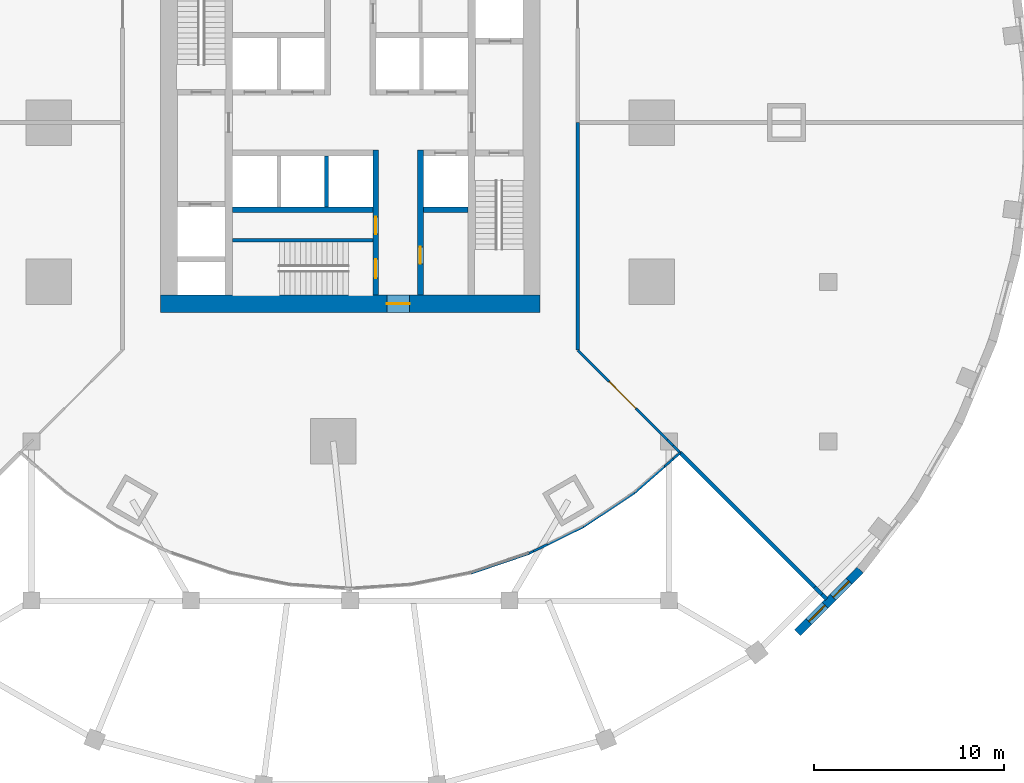
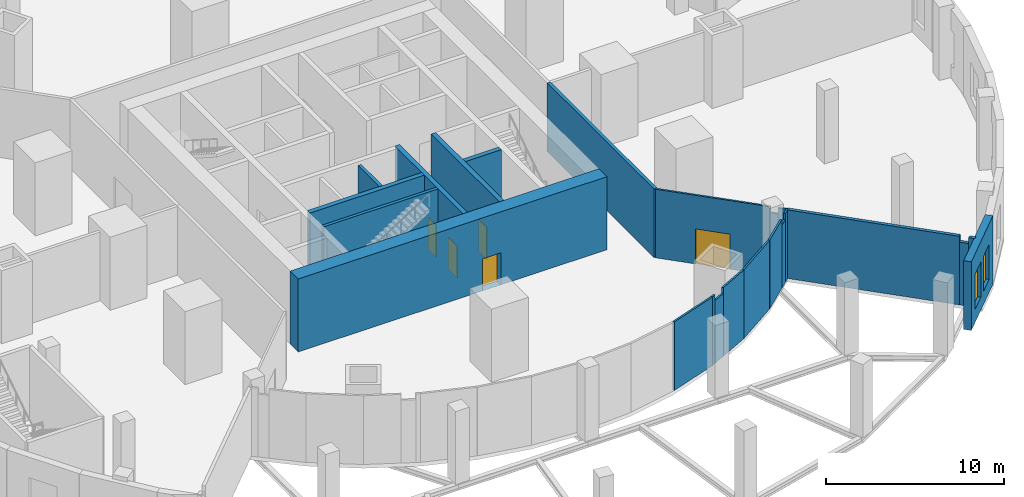
# One storey, part 4 of 11: 23 walls, 5 doors, 2 windows, 7 openings.
"""IFC4 building model written with IfcOpenShell, lengths in metres."""

from ifc_helpers import new_model, si_unit, direction, frame, frame_2d, origin, place, context, subcontext, project, spatial, rectangle, extrude, material, layer, layer_set, type_object, element, fill, save


model = new_model("IFC4")

# Units and contexts
model_context = context("Model", 3, precision=1e-05, world=origin(), true_north=direction((0.0, 1.0)))
body_context = subcontext(model_context, "Body", "Model", "MODEL_VIEW")
ifc_project = project(units=[si_unit("LENGTHUNIT", "METRE"), si_unit("AREAUNIT", "SQUARE_METRE"), si_unit("VOLUMEUNIT", "CUBIC_METRE"), si_unit("PLANEANGLEUNIT", "RADIAN"), si_unit("MASSUNIT", "GRAM", prefix="KILO")], contexts=[model_context])

# Site, building, storey
site_placement = place(None, origin())
site = spatial("IfcSite", under=ifc_project, at=site_placement, CompositionType="ELEMENT")
building_placement = place(site_placement, origin())
building = spatial("IfcBuilding", under=site, at=building_placement, Name="Golbaran Civic Tower", CompositionType="ELEMENT")
storey_placement = place(building_placement, frame((0.0, 0.0, 11.0)))
storey = spatial("IfcBuildingStorey", under=building, at=storey_placement, Name="L02", CompositionType="ELEMENT", Elevation=11.0)

# Wall, opening, door
ifc_material_1 = material(Name="Concrete C50/60", Category="concrete")
ifc_layer_1 = layer(ifc_material_1, 0.89990234375, Name="Concrete C50/60")
ifc_layer_set_1 = layer_set([ifc_layer_1], Name="Concrete C50/60")
wall_type_1 = type_object("IfcWallType", Name="CORE WALL CONCRETE 900", PredefinedType="SOLIDWALL", material=ifc_layer_set_1)
wall_1_placement = place(storey_placement, frame((10.0, -9.550048828125, 0.0), z_axis=(0.0, 0.0, 1.0), x_axis=(-1.0, 0.0, 0.0)))
wall_1 = element("IfcWall", 1, at=wall_1_placement, inside=storey, type_object=wall_type_1, Name="Core wall CS L02", PredefinedType="SOLIDWALL", context=body_context, shape_type="SweptSolid", body=[
    extrude(rectangle(XDim=20.0, YDim=0.89990234375, at=frame_2d((10.0, 0.0))), origin(), (0.0, 0.0, 1.0), 5.0),
])
opening_1_placement = place(wall_1_placement, frame((6.875, 0.0, 0.0)))
opening_1 = element("IfcOpeningElement", 2, at=opening_1_placement, cuts=wall_1, Name="Opening L02.CS", PredefinedType="OPENING", context=body_context, shape_type="SweptSolid", body=[
    extrude(rectangle(XDim=1.199951171875, YDim=2.199951171875, at=frame_2d((0.60009765625, 1.10009765625))), frame((0.0, 0.4599609375, 0.0), z_axis=(0.0, -1.0, 0.0), x_axis=(1.0, 0.0, 0.0)), (0.0, 0.0, 1.0), 0.919921875),
])
ifc_material_2 = material(Name="Timber door set in steel frame", Category="steel")
door_type_1 = type_object("IfcDoorType", Name="CORE DOOR 1200x2200", OperationType="DOUBLE_DOOR_SINGLE_SWING", PredefinedType="DOOR", material=ifc_material_2)
door_1_placement = place(opening_1_placement, origin())
door_1 = element("IfcDoor", 3, at=door_1_placement, inside=storey, type_object=door_type_1, Name="Core door south", OperationType="DOUBLE_DOOR_SINGLE_SWING", OverallHeight=2.199951171875, OverallWidth=1.199951171875, PredefinedType="DOOR", context=body_context, shape_type="SweptSolid", body=[
    extrude(rectangle(XDim=1.199951171875, YDim=2.199951171875, at=frame_2d((0.60009765625, 1.10009765625))), frame((0.0, 0.02490234375, 0.0), z_axis=(0.0, -1.0, 0.0), x_axis=(1.0, 0.0, 0.0)), (0.0, 0.0, 1.0), 0.050048828125),
])
fill(opening_1, door_1)

# Walls
ifc_material_3 = material(Name="Glazed screen on steel framing", Category="steel")
ifc_layer_2 = layer(ifc_material_3, 0.1201171875, Name="Glazed screen on steel framing")
ifc_layer_set_2 = layer_set([ifc_layer_2], Name="Glazed screen on steel framing")
wall_type_2 = type_object("IfcWallType", Name="GLAZED SCREEN PARTITION 120", PredefinedType="PARTITIONING", material=ifc_layer_set_2)
wall_2_placement = place(storey_placement, frame((6.360107421875, -23.760009765625, 0.0), z_axis=(0.0, 0.0, 1.0), x_axis=(0.946800830057, 0.321820117773, 0.0)))
element("IfcWall", 4, at=wall_2_placement, inside=storey, type_object=wall_type_2, Name="Podium partition L02", PredefinedType="PARTITIONING", context=body_context, shape_type="SweptSolid", body=[
    extrude(rectangle(XDim=3.231689453125, YDim=0.1201171875, at=frame_2d((1.61572265625, 0.0))), origin(), (0.0, 0.0, 1.0), 4.699951171875),
])
wall_3_placement = place(storey_placement, frame((10.408447265625, -22.232666015625, 0.0), z_axis=(0.0, 0.0, 1.0), x_axis=(0.896913641042, 0.442205744551, 0.0)))
element("IfcWall", 5, at=wall_3_placement, inside=storey, type_object=wall_type_2, Name="Podium partition L02", PredefinedType="PARTITIONING", context=body_context, shape_type="SweptSolid", body=[
    extrude(rectangle(XDim=2.109130859375, YDim=0.1201171875, at=frame_2d((1.0546875, 0.0))), origin(), (0.0, 0.0, 1.0), 4.699951171875),
])
wall_4_placement = place(storey_placement, frame((9.65771484375, -22.602783203125, 0.0), z_axis=(0.0, 0.0, 1.0), x_axis=(0.896921584296, 0.442189633103, 0.0)))
element("IfcWall", 6, at=wall_4_placement, inside=storey, type_object=wall_type_2, Name="Podium partition L02 under the beam over", PredefinedType="PARTITIONING", context=body_context, shape_type="SweptSolid", body=[
    extrude(rectangle(XDim=0.8369140625, YDim=0.1201171875, at=frame_2d((0.41845703125, 0.0))), origin(), (0.0, 0.0, 1.0), 4.300048828125),
])
wall_5_placement = place(storey_placement, frame((9.419921875, -22.719970703125, 0.0), z_axis=(0.0, 0.0, 1.0), x_axis=(0.896990941369, 0.442048923878, 0.0)))
element("IfcWall", 7, at=wall_5_placement, inside=storey, type_object=wall_type_2, Name="Podium partition L02 under the beam over", PredefinedType="PARTITIONING", context=body_context, shape_type="SweptSolid", body=[
    extrude(rectangle(XDim=0.26513671875, YDim=0.1201171875, at=frame_2d((0.132568359375, 0.0))), origin(), (0.0, 0.0, 1.0), 4.699951171875),
])

# Wall, opening, door
wall_6_placement = place(storey_placement, frame((12.0, -12.0, 0.0), z_axis=(0.0, 0.0, 1.0), x_axis=(0.707106781187, -0.707106781187, 0.0)))
wall_6 = element("IfcWall", 8, at=wall_6_placement, inside=storey, type_object=wall_type_2, Name="Podium partition L02", PredefinedType="PARTITIONING", context=body_context, shape_type="SweptSolid", body=[
    extrude(rectangle(XDim=6.675048828125, YDim=0.1201171875, at=frame_2d((3.33740234375, 0.0))), origin(), (0.0, 0.0, 1.0), 4.699951171875),
])
opening_2_placement = place(wall_6_placement, frame((2.337646484375, 0.0, 0.0)))
opening_2 = element("IfcOpeningElement", 9, at=opening_2_placement, cuts=wall_6, Name="Opening L02.05", PredefinedType="OPENING", context=body_context, shape_type="SweptSolid", body=[
    extrude(rectangle(XDim=2.0, YDim=2.39990234375, at=frame_2d((1.0, 1.199951171875))), frame((0.0, 0.070068359375, 0.0), z_axis=(0.0, -1.0, 0.0), x_axis=(1.0, 0.0, 0.0)), (0.0, 0.0, 1.0), 0.14013671875),
])
door_type_2 = type_object("IfcDoorType", Name="PUBLIC DOUBLE DOOR 2000x2400", OperationType="DOUBLE_DOOR_SINGLE_SWING", PredefinedType="DOOR", material=ifc_material_2)
door_2_placement = place(opening_2_placement, origin())
door_2 = element("IfcDoor", 10, at=door_2_placement, inside=storey, type_object=door_type_2, Name="Public Consultation Office 1 door", OperationType="DOUBLE_DOOR_SINGLE_SWING", OverallHeight=2.39990234375, OverallWidth=2.0, PredefinedType="DOOR", context=body_context, shape_type="SweptSolid", body=[
    extrude(rectangle(XDim=2.0, YDim=2.39990234375, at=frame_2d((1.0, 1.199951171875))), frame((0.0, 0.02490234375, 0.0), z_axis=(0.0, -1.0, 0.0), x_axis=(1.0, 0.0, 0.0)), (0.0, 0.0, 1.0), 0.050048828125),
])
fill(opening_2, door_2)

# Walls
wall_7_placement = place(storey_placement, frame((17.030029296875, -17.030029296875, 0.0), z_axis=(0.0, 0.0, 1.0), x_axis=(0.707106781187, -0.707106781187, 0.0)))
element("IfcWall", 11, at=wall_7_placement, inside=storey, type_object=wall_type_2, Name="Podium partition L02 under the beam over", PredefinedType="PARTITIONING", context=body_context, shape_type="SweptSolid", body=[
    extrude(rectangle(XDim=0.523193359375, YDim=0.1201171875, at=frame_2d((0.26171875, 0.0))), origin(), (0.0, 0.0, 1.0), 4.699951171875),
])
wall_8_placement = place(storey_placement, frame((16.719970703125, -16.719970703125, 0.0), z_axis=(0.0, 0.0, 1.0), x_axis=(0.707106781187, -0.707106781187, 0.0)))
element("IfcWall", 12, at=wall_8_placement, inside=storey, type_object=wall_type_2, Name="Podium partition L02 under the beam over", PredefinedType="PARTITIONING", context=body_context, shape_type="SweptSolid", body=[
    extrude(rectangle(XDim=0.4384765625, YDim=0.1201171875, at=frame_2d((0.21923828125, 0.0))), origin(), (0.0, 0.0, 1.0), 4.300048828125),
])
wall_9_placement = place(storey_placement, frame((12.300048828125, -21.300048828125, 0.0), z_axis=(0.0, 0.0, 1.0), x_axis=(0.832994734858, 0.553280915719, 0.0)))
element("IfcWall", 13, at=wall_9_placement, inside=storey, type_object=wall_type_2, Name="Podium partition L02", PredefinedType="PARTITIONING", context=body_context, shape_type="SweptSolid", body=[
    extrude(rectangle(XDim=3.21728515625, YDim=0.1201171875, at=frame_2d((1.608642578125, 0.0))), origin(), (0.0, 0.0, 1.0), 4.699951171875),
])
wall_10_placement = place(storey_placement, frame((14.97998046875, -19.52001953125, 0.0), z_axis=(0.0, 0.0, 1.0), x_axis=(0.752226011438, 0.658905173538, 0.0)))
element("IfcWall", 14, at=wall_10_placement, inside=storey, type_object=wall_type_2, Name="Podium partition L02", PredefinedType="PARTITIONING", context=body_context, shape_type="SweptSolid", body=[
    extrude(rectangle(XDim=2.11376953125, YDim=0.1201171875, at=frame_2d((1.056884765625, 0.0))), origin(), (0.0, 0.0, 1.0), 4.699951171875),
])
wall_11_placement = place(storey_placement, frame((16.570068359375, -18.127197265625, 0.0), z_axis=(0.0, 0.0, 1.0), x_axis=(0.752081905539, 0.65906965289, 0.0)))
element("IfcWall", 15, at=wall_11_placement, inside=storey, type_object=wall_type_2, Name="Podium partition L02 under the beam over", PredefinedType="PARTITIONING", context=body_context, shape_type="SweptSolid", body=[
    extrude(rectangle(XDim=0.611572265625, YDim=0.1201171875, at=frame_2d((0.3056640625, 0.0))), origin(), (0.0, 0.0, 1.0), 4.300048828125),
])
wall_12_placement = place(storey_placement, frame((17.030029296875, -17.72412109375, 0.0), z_axis=(0.0, 0.0, 1.0), x_axis=(0.751992181934, 0.659172024824, 0.0)))
element("IfcWall", 16, at=wall_12_placement, inside=storey, type_object=wall_type_2, Name="Podium partition L02 under the beam over", PredefinedType="PARTITIONING", context=body_context, shape_type="SweptSolid", body=[
    extrude(rectangle(XDim=0.491943359375, YDim=0.1201171875, at=frame_2d((0.24609375, 0.0))), origin(), (0.0, 0.0, 1.0), 4.699951171875),
])
ifc_material_4 = material(Name="Concrete block", Category="concrete")
ifc_layer_3 = layer(ifc_material_4, 0.199951171875, Name="Concrete block")
ifc_layer_set_3 = layer_set([ifc_layer_3], Name="Concrete block")
wall_type_3 = type_object("IfcWallType", Name="LIFT SEPARATOR WALL 200", PredefinedType="SOLIDWALL", material=ifc_layer_set_3)
wall_13_placement = place(storey_placement, frame((-1.25, -1.75, 0.0), z_axis=(0.0, 0.0, 1.0), x_axis=(0.0, -1.0, 0.0)))
element("IfcWall", 17, at=wall_13_placement, inside=storey, type_object=wall_type_3, Name="Core partition SSM L02", PredefinedType="SOLIDWALL", context=body_context, shape_type="SweptSolid", body=[
    extrude(rectangle(XDim=2.699951171875, YDim=0.199951171875, at=frame_2d((1.35009765625, 0.0))), origin(), (0.0, 0.0, 1.0), 4.75),
])
ifc_material_5 = material(Name="Concrete block, plastered", Category="concrete")
ifc_layer_4 = layer(ifc_material_5, 0.199951171875, Name="Concrete block, plastered")
ifc_layer_set_4 = layer_set([ifc_layer_4], Name="Concrete block, plastered")
wall_type_4 = type_object("IfcWallType", Name="PODIUM PARTITION 200", PredefinedType="PARTITIONING", material=ifc_layer_set_4)
wall_14_placement = place(storey_placement, frame((17.39990234375, -17.39990234375, 0.0), z_axis=(0.0, 0.0, 1.0), x_axis=(0.707106781187, -0.707106781187, 0.0)))
element("IfcWall", 18, at=wall_14_placement, inside=storey, type_object=wall_type_4, Name="Podium partition L02", PredefinedType="PARTITIONING", context=body_context, shape_type="SweptSolid", body=[
    extrude(rectangle(XDim=10.021728515625, YDim=0.199951171875, at=frame_2d((5.0107421875, 0.0))), origin(), (0.0, 0.0, 1.0), 4.699951171875),
])
wall_15_placement = place(storey_placement, frame((24.486328125, -24.486328125, 0.0), z_axis=(0.0, 0.0, 1.0), x_axis=(0.707106781187, -0.707106781187, 0.0)))
element("IfcWall", 19, at=wall_15_placement, inside=storey, type_object=wall_type_4, Name="Podium partition L02 under the beam over", PredefinedType="PARTITIONING", context=body_context, shape_type="SweptSolid", body=[
    extrude(rectangle(XDim=0.5400390625, YDim=0.199951171875, at=frame_2d((0.27001953125, 0.0))), origin(), (0.0, 0.0, 1.0), 4.300048828125),
])
wall_16_placement = place(storey_placement, frame((24.8681640625, -24.8681640625, 0.0), z_axis=(0.0, 0.0, 1.0), x_axis=(0.707106781187, -0.707106781187, 0.0)))
element("IfcWall", 20, at=wall_16_placement, inside=storey, type_object=wall_type_4, Name="Podium partition L02 under the beam over", PredefinedType="PARTITIONING", context=body_context, shape_type="SweptSolid", body=[
    extrude(rectangle(XDim=0.356201171875, YDim=0.199951171875, at=frame_2d((0.17822265625, 0.0))), origin(), (0.0, 0.0, 1.0), 4.699951171875),
])
wall_17_placement = place(storey_placement, frame((12.0, -12.0, 0.0), z_axis=(0.0, 0.0, 1.0), x_axis=(0.0, 1.0, 0.0)))
element("IfcWall", 21, at=wall_17_placement, inside=storey, type_object=wall_type_4, Name="Podium corridor wall L02", PredefinedType="PARTITIONING", context=body_context, shape_type="SweptSolid", body=[
    extrude(rectangle(XDim=12.0, YDim=0.199951171875, at=frame_2d((6.0, 0.0))), origin(), (0.0, 0.0, 1.0), 4.699951171875),
])
ifc_layer_5 = layer(ifc_material_1, 0.199951171875, Name="Concrete C50/60")
ifc_layer_set_5 = layer_set([ifc_layer_5], Name="Concrete C50/60")
wall_type_5 = type_object("IfcWallType", Name="SHAFT WALL CONCRETE 200", PredefinedType="SOLIDWALL", material=ifc_layer_set_5)
wall_18_placement = place(storey_placement, frame((-6.199951171875, -6.199951171875, 0.0), z_axis=(0.0, 0.0, 1.0), x_axis=(1.0, 0.0, 0.0)))
element("IfcWall", 22, at=wall_18_placement, inside=storey, type_object=wall_type_5, Name="Core wall S3N L02", PredefinedType="SOLIDWALL", context=body_context, shape_type="SweptSolid", body=[
    extrude(rectangle(XDim=7.39990234375, YDim=0.199951171875, at=frame_2d((3.699951171875, 0.0))), origin(), (0.0, 0.0, 1.0), 5.0),
])
ifc_layer_6 = layer(ifc_material_1, 0.300048828125, Name="Concrete C50/60")
ifc_layer_set_6 = layer_set([ifc_layer_6], Name="Concrete C50/60")
wall_type_6 = type_object("IfcWallType", Name="SHAFT WALL CONCRETE 300", PredefinedType="SOLIDWALL", material=ifc_layer_set_6)
wall_19_placement = place(storey_placement, frame((-6.199951171875, -4.60009765625, 0.0), z_axis=(0.0, 0.0, 1.0), x_axis=(1.0, 0.0, 0.0)))
element("IfcWall", 23, at=wall_19_placement, inside=storey, type_object=wall_type_6, Name="Core wall BSW L02", PredefinedType="SOLIDWALL", context=body_context, shape_type="SweptSolid", body=[
    extrude(rectangle(XDim=7.39990234375, YDim=0.300048828125, at=frame_2d((3.699951171875, 0.0))), origin(), (0.0, 0.0, 1.0), 5.0),
])
wall_20_placement = place(storey_placement, frame((3.85009765625, -4.60009765625, 0.0), z_axis=(0.0, 0.0, 1.0), x_axis=(1.0, 0.0, 0.0)))
element("IfcWall", 24, at=wall_20_placement, inside=storey, type_object=wall_type_6, Name="Core wall BSE L02", PredefinedType="SOLIDWALL", context=body_context, shape_type="SweptSolid", body=[
    extrude(rectangle(XDim=2.349853515625, YDim=0.300048828125, at=frame_2d((1.1748046875, 0.0))), origin(), (0.0, 0.0, 1.0), 5.0),
])

# Wall, openings, doors
wall_21_placement = place(storey_placement, frame((1.35009765625, -1.449951171875, 0.0), z_axis=(0.0, 0.0, 1.0), x_axis=(0.0, -1.0, 0.0)))
wall_21 = element("IfcWall", 25, at=wall_21_placement, inside=storey, type_object=wall_type_6, Name="Core wall PSW L02", PredefinedType="SOLIDWALL", context=body_context, shape_type="SweptSolid", body=[
    extrude(rectangle(XDim=7.650146484375, YDim=0.300048828125, at=frame_2d((3.8251953125, 0.0))), origin(), (0.0, 0.0, 1.0), 5.0),
])
opening_3_placement = place(wall_21_placement, frame((5.75, 0.0, 0.0)))
opening_3 = element("IfcOpeningElement", 26, at=opening_3_placement, cuts=wall_21, Name="Opening L02.S3", PredefinedType="OPENING", context=body_context, shape_type="SweptSolid", body=[
    extrude(rectangle(XDim=1.0, YDim=2.199951171875, at=frame_2d((0.5, 1.10009765625))), frame((0.0, 0.159912109375, 0.0), z_axis=(0.0, -1.0, 0.0), x_axis=(1.0, 0.0, 0.0)), (0.0, 0.0, 1.0), 0.320068359375),
])
opening_4_placement = place(wall_21_placement, frame((3.52490234375, 0.0, 0.0)))
opening_4 = element("IfcOpeningElement", 27, at=opening_4_placement, cuts=wall_21, Name="Opening L02.RE", PredefinedType="OPENING", context=body_context, shape_type="SweptSolid", body=[
    extrude(rectangle(XDim=0.89990234375, YDim=2.199951171875, at=frame_2d((0.449951171875, 1.10009765625))), frame((0.0, 0.159912109375, 0.0), z_axis=(0.0, -1.0, 0.0), x_axis=(1.0, 0.0, 0.0)), (0.0, 0.0, 1.0), 0.320068359375),
])
door_type_3 = type_object("IfcDoorType", Name="RISER DOOR 900x2200", OperationType="SINGLE_SWING_LEFT", PredefinedType="DOOR", material=ifc_material_2)
door_3_placement = place(opening_4_placement, origin())
door_3 = element("IfcDoor", 28, at=door_3_placement, inside=storey, type_object=door_type_3, Name="Electrical riser door", OperationType="SINGLE_SWING_RIGHT", OverallHeight=2.199951171875, OverallWidth=0.89990234375, PredefinedType="DOOR", context=body_context, shape_type="SweptSolid", body=[
    extrude(rectangle(XDim=0.89990234375, YDim=2.199951171875, at=frame_2d((0.449951171875, 1.10009765625))), frame((0.0, 0.02490234375, 0.0), z_axis=(0.0, -1.0, 0.0), x_axis=(1.0, 0.0, 0.0)), (0.0, 0.0, 1.0), 0.050048828125),
])
fill(opening_4, door_3)
door_type_4 = type_object("IfcDoorType", Name="STAIR DOOR 1000x2200", OperationType="SINGLE_SWING_LEFT", PredefinedType="DOOR", material=ifc_material_2)
door_4_placement = place(opening_3_placement, origin())
door_4 = element("IfcDoor", 29, at=door_4_placement, inside=storey, type_object=door_type_4, Name="Stair S3 door", OperationType="SINGLE_SWING_RIGHT", OverallHeight=2.199951171875, OverallWidth=1.0, PredefinedType="DOOR", context=body_context, shape_type="SweptSolid", body=[
    extrude(rectangle(XDim=1.0, YDim=2.199951171875, at=frame_2d((0.5, 1.10009765625))), frame((0.0, 0.02490234375, 0.0), z_axis=(0.0, -1.0, 0.0), x_axis=(1.0, 0.0, 0.0)), (0.0, 0.0, 1.0), 0.050048828125),
])
fill(opening_3, door_4)

# Wall, opening, door
wall_22_placement = place(storey_placement, frame((3.699951171875, -1.449951171875, 0.0), z_axis=(0.0, 0.0, 1.0), x_axis=(0.0, -1.0, 0.0)))
wall_22 = element("IfcWall", 30, at=wall_22_placement, inside=storey, type_object=wall_type_6, Name="Core wall PSE L02", PredefinedType="SOLIDWALL", context=body_context, shape_type="SweptSolid", body=[
    extrude(rectangle(XDim=7.650146484375, YDim=0.300048828125, at=frame_2d((3.8251953125, 0.0))), origin(), (0.0, 0.0, 1.0), 5.0),
])
opening_5_placement = place(wall_22_placement, frame((5.10009765625, 0.0, 0.0)))
opening_5 = element("IfcOpeningElement", 31, at=opening_5_placement, cuts=wall_22, Name="Opening L02.RM", PredefinedType="OPENING", context=body_context, shape_type="SweptSolid", body=[
    extrude(rectangle(XDim=0.89990234375, YDim=2.199951171875, at=frame_2d((0.449951171875, 1.10009765625))), frame((0.0, 0.159912109375, 0.0), z_axis=(0.0, -1.0, 0.0), x_axis=(1.0, 0.0, 0.0)), (0.0, 0.0, 1.0), 0.320068359375),
])
door_5_placement = place(opening_5_placement, origin())
door_5 = element("IfcDoor", 32, at=door_5_placement, inside=storey, type_object=door_type_3, Name="Mechanical riser door", OperationType="SINGLE_SWING_RIGHT", OverallHeight=2.199951171875, OverallWidth=0.89990234375, PredefinedType="DOOR", context=body_context, shape_type="SweptSolid", body=[
    extrude(rectangle(XDim=0.89990234375, YDim=2.199951171875, at=frame_2d((0.449951171875, 1.10009765625))), frame((0.0, 0.02490234375, 0.0), z_axis=(0.0, -1.0, 0.0), x_axis=(1.0, 0.0, 0.0)), (0.0, 0.0, 1.0), 0.050048828125),
])
fill(opening_5, door_5)

# Wall, openings, windows
ifc_material_6 = material(Name="Terracotta brick", Category="masonry")
ifc_layer_7 = layer(ifc_material_6, 0.449951171875, Name="Terracotta brick")
ifc_layer_set_7 = layer_set([ifc_layer_7], Name="Terracotta brick")
wall_type_7 = type_object("IfcWallType", Name="TERRACOTTA BRICK FACADE WALL 450", PredefinedType="SOLIDWALL", material=ifc_layer_set_7)
wall_23_placement = place(storey_placement, frame((23.588134765625, -26.89697265625, 0.0), z_axis=(0.0, 0.0, 1.0), x_axis=(0.707106781187, 0.707106781187, 0.0)))
wall_23 = element("IfcWall", 33, at=wall_23_placement, inside=storey, type_object=wall_type_7, Name="Podium wall L02 facet 42", PredefinedType="SOLIDWALL", context=body_context, shape_type="SweptSolid", body=[
    extrude(rectangle(XDim=4.679443359375, YDim=0.449951171875, at=frame_2d((2.33984375, 0.0))), origin(), (0.0, 0.0, 1.0), 4.699951171875),
])
opening_6_placement = place(wall_23_placement, frame((0.840087890625, 0.0, 0.89990234375)))
opening_6 = element("IfcOpeningElement", 34, at=opening_6_placement, cuts=wall_23, Name="Opening L02.W35", PredefinedType="OPENING", context=body_context, shape_type="SweptSolid", body=[
    extrude(rectangle(XDim=1.199951171875, YDim=2.39990234375, at=frame_2d((0.60009765625, 1.199951171875))), frame((0.0, 0.23486328125, 0.0), z_axis=(0.0, -1.0, 0.0), x_axis=(1.0, 0.0, 0.0)), (0.0, 0.0, 1.0), 0.469970703125),
])
opening_7_placement = place(wall_23_placement, frame((2.639892578125, 0.0, 0.89990234375)))
opening_7 = element("IfcOpeningElement", 35, at=opening_7_placement, cuts=wall_23, Name="Opening L02.W36", PredefinedType="OPENING", context=body_context, shape_type="SweptSolid", body=[
    extrude(rectangle(XDim=1.199951171875, YDim=2.39990234375, at=frame_2d((0.60009765625, 1.199951171875))), frame((0.0, 0.23486328125, 0.0), z_axis=(0.0, -1.0, 0.0), x_axis=(1.0, 0.0, 0.0)), (0.0, 0.0, 1.0), 0.469970703125),
])
ifc_material_7 = material(Name="Aluminium frame, clear glass", Category="aluminium")
window_type = type_object("IfcWindowType", Name="PODIUM PAIRED WINDOW 1200x2400", PartitioningType="SINGLE_PANEL", PredefinedType="WINDOW", material=ifc_material_7)
window_1_placement = place(opening_6_placement, origin())
window_1 = element("IfcWindow", 36, at=window_1_placement, inside=storey, type_object=window_type, Name="Podium window L02 facet 42a", OverallHeight=2.39990234375, OverallWidth=1.199951171875, PartitioningType="SINGLE_PANEL", PredefinedType="WINDOW", context=body_context, shape_type="SweptSolid", body=[
    extrude(rectangle(XDim=1.199951171875, YDim=2.39990234375, at=frame_2d((0.60009765625, 1.199951171875))), frame((0.0, 0.030029296875, 0.0), z_axis=(0.0, -1.0, 0.0), x_axis=(1.0, 0.0, 0.0)), (0.0, 0.0, 1.0), 0.06005859375),
])
fill(opening_6, window_1)
window_2_placement = place(opening_7_placement, origin())
window_2 = element("IfcWindow", 37, at=window_2_placement, inside=storey, type_object=window_type, Name="Podium window L02 facet 42b", OverallHeight=2.39990234375, OverallWidth=1.199951171875, PartitioningType="SINGLE_PANEL", PredefinedType="WINDOW", context=body_context, shape_type="SweptSolid", body=[
    extrude(rectangle(XDim=1.199951171875, YDim=2.39990234375, at=frame_2d((0.60009765625, 1.199951171875))), frame((0.0, 0.030029296875, 0.0), z_axis=(0.0, -1.0, 0.0), x_axis=(1.0, 0.0, 0.0)), (0.0, 0.0, 1.0), 0.06005859375),
])
fill(opening_7, window_2)

save(model, "model.ifc")
